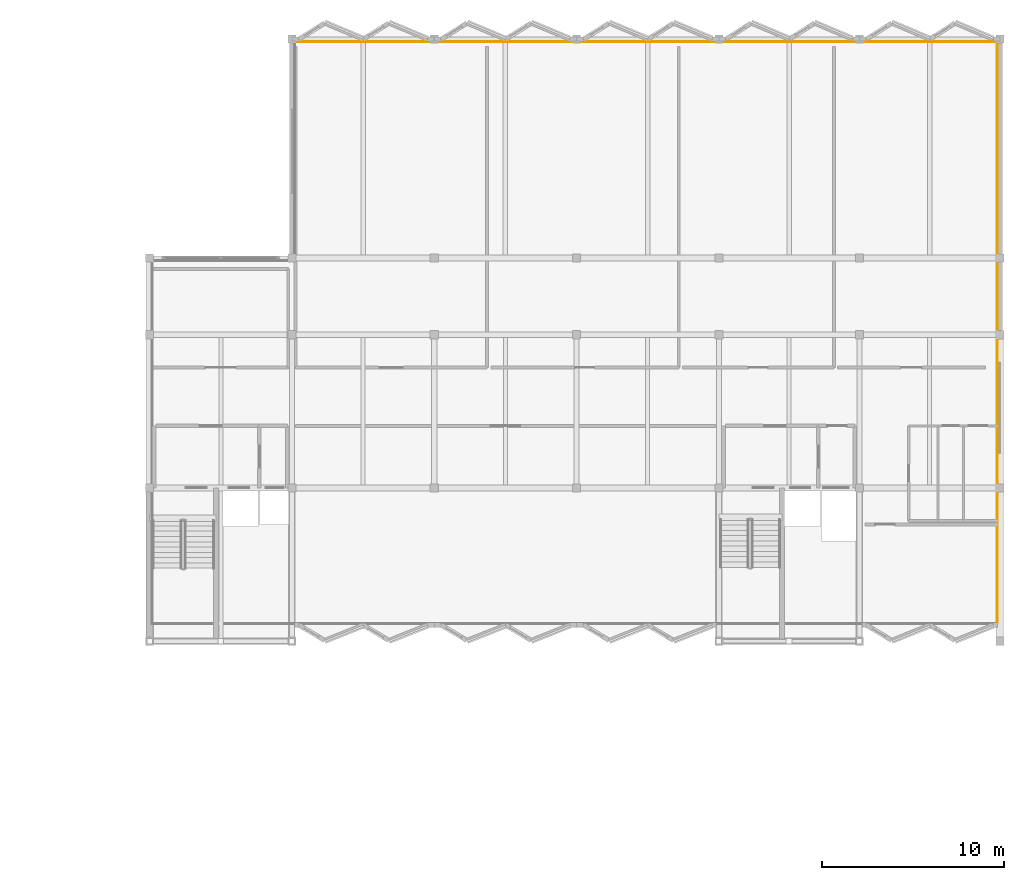
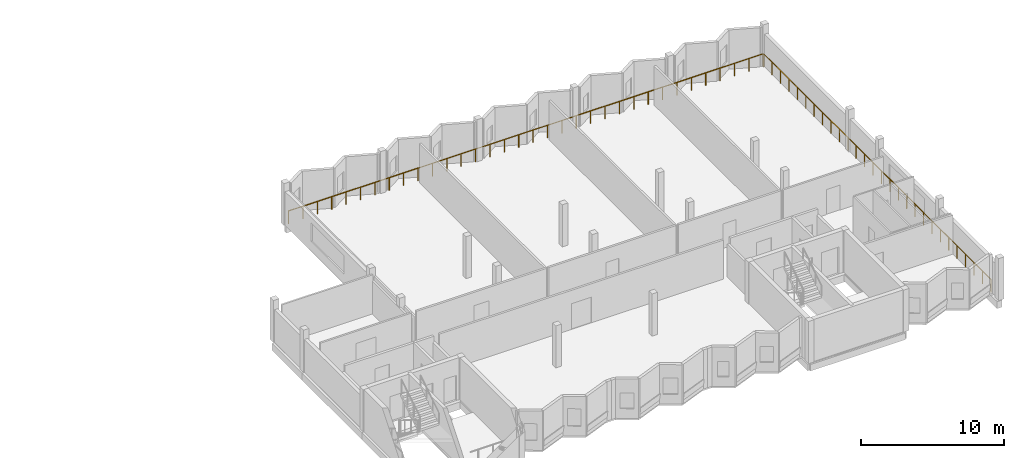
# One storey, part 25 of 25: 2 railings.
"""IFC4 building model written with IfcOpenShell, lengths in metres."""

from ifc_helpers import new_model, si_unit, direction, frame, origin, origin_2d, place, context, subcontext, project, spatial, circle, extrude, material, type_object, element, save


model = new_model("IFC4")

# Units and contexts
model_context = context("Model", 3, precision=1e-05, world=origin(), true_north=direction((0.0, 1.0)))
body_context = subcontext(model_context, "Body", "Model", "MODEL_VIEW")
ifc_project = project(units=[si_unit("LENGTHUNIT", "METRE"), si_unit("AREAUNIT", "SQUARE_METRE"), si_unit("VOLUMEUNIT", "CUBIC_METRE"), si_unit("PLANEANGLEUNIT", "RADIAN"), si_unit("MASSUNIT", "GRAM", prefix="KILO")], contexts=[model_context])

# Site, building, storey
site_placement = place(None, origin())
site = spatial("IfcSite", under=ifc_project, at=site_placement, CompositionType="ELEMENT")
building_placement = place(site_placement, origin())
building = spatial("IfcBuilding", under=site, at=building_placement, Name="Vharandega Faculty of Natural Sciences", CompositionType="ELEMENT")
storey_placement = place(building_placement, frame((0.0, 0.0, 25.199951171875)))
storey = spatial("IfcBuildingStorey", under=building, at=storey_placement, Name="L06", CompositionType="ELEMENT", Elevation=25.199951171875)

# Railings
ifc_material = material(Name="Galvanised painted steel balustrade", Category="steel")
railing_type = type_object("IfcRailingType", Name="Terrace Steel Guardrail 1100", PredefinedType="GUARDRAIL", material=ifc_material)
railing_1_placement = place(storey_placement, frame((161.25, 64.97509765625, 0.0)))
element("IfcRailing", 1, at=railing_1_placement, inside=storey, type_object=railing_type, Name="Perimeter Sill Guard L06 #2", PredefinedType="GUARDRAIL", context=body_context, shape_type="SweptSolid", body=[
    extrude(circle(Radius=0.02392578125, at=origin_2d()), frame((0.0, 0.0, 1.076171875), z_axis=(0.0, 1.0, 0.0), x_axis=(-1.0, 0.0, 0.0)), (0.0, 0.0, 1.0), 31.849853515625),
    extrude(circle(Radius=0.02099609375, at=origin_2d()), origin(), (0.0, 0.0, 1.0), 1.052001953125),
    extrude(circle(Radius=0.02099609375, at=origin_2d()), frame((0.0, 1.1796875, 0.0)), (0.0, 0.0, 1.0), 1.052001953125),
    extrude(circle(Radius=0.02099609375, at=origin_2d()), frame((0.0, 2.359130859375, 0.0)), (0.0, 0.0, 1.0), 1.052001953125),
    extrude(circle(Radius=0.02099609375, at=origin_2d()), frame((0.0, 3.538818359375, 0.0)), (0.0, 0.0, 1.0), 1.052001953125),
    extrude(circle(Radius=0.02099609375, at=origin_2d()), frame((0.0, 4.718505859375, 0.0)), (0.0, 0.0, 1.0), 1.052001953125),
    extrude(circle(Radius=0.02099609375, at=origin_2d()), frame((0.0, 5.898193359375, 0.0)), (0.0, 0.0, 1.0), 1.052001953125),
    extrude(circle(Radius=0.02099609375, at=origin_2d()), frame((0.0, 7.07763671875, 0.0)), (0.0, 0.0, 1.0), 1.052001953125),
    extrude(circle(Radius=0.02099609375, at=origin_2d()), frame((0.0, 8.25732421875, 0.0)), (0.0, 0.0, 1.0), 1.052001953125),
    extrude(circle(Radius=0.02099609375, at=origin_2d()), frame((0.0, 9.43701171875, 0.0)), (0.0, 0.0, 1.0), 1.052001953125),
    extrude(circle(Radius=0.02099609375, at=origin_2d()), frame((0.0, 10.61669921875, 0.0)), (0.0, 0.0, 1.0), 1.052001953125),
    extrude(circle(Radius=0.02099609375, at=origin_2d()), frame((0.0, 11.796142578125, 0.0)), (0.0, 0.0, 1.0), 1.052001953125),
    extrude(circle(Radius=0.02099609375, at=origin_2d()), frame((0.0, 12.975830078125, 0.0)), (0.0, 0.0, 1.0), 1.052001953125),
    extrude(circle(Radius=0.02099609375, at=origin_2d()), frame((0.0, 14.155517578125, 0.0)), (0.0, 0.0, 1.0), 1.052001953125),
    extrude(circle(Radius=0.02099609375, at=origin_2d()), frame((0.0, 15.335205078125, 0.0)), (0.0, 0.0, 1.0), 1.052001953125),
    extrude(circle(Radius=0.02099609375, at=origin_2d()), frame((0.0, 16.5146484375, 0.0)), (0.0, 0.0, 1.0), 1.052001953125),
    extrude(circle(Radius=0.02099609375, at=origin_2d()), frame((0.0, 17.6943359375, 0.0)), (0.0, 0.0, 1.0), 1.052001953125),
    extrude(circle(Radius=0.02099609375, at=origin_2d()), frame((0.0, 18.8740234375, 0.0)), (0.0, 0.0, 1.0), 1.052001953125),
    extrude(circle(Radius=0.02099609375, at=origin_2d()), frame((0.0, 20.0537109375, 0.0)), (0.0, 0.0, 1.0), 1.052001953125),
    extrude(circle(Radius=0.02099609375, at=origin_2d()), frame((0.0, 21.233154296875, 0.0)), (0.0, 0.0, 1.0), 1.052001953125),
    extrude(circle(Radius=0.02099609375, at=origin_2d()), frame((0.0, 22.412841796875, 0.0)), (0.0, 0.0, 1.0), 1.052001953125),
    extrude(circle(Radius=0.02099609375, at=origin_2d()), frame((0.0, 23.592529296875, 0.0)), (0.0, 0.0, 1.0), 1.052001953125),
    extrude(circle(Radius=0.02099609375, at=origin_2d()), frame((0.0, 24.772216796875, 0.0)), (0.0, 0.0, 1.0), 1.052001953125),
    extrude(circle(Radius=0.02099609375, at=origin_2d()), frame((0.0, 25.95166015625, 0.0)), (0.0, 0.0, 1.0), 1.052001953125),
    extrude(circle(Radius=0.02099609375, at=origin_2d()), frame((0.0, 27.13134765625, 0.0)), (0.0, 0.0, 1.0), 1.052001953125),
    extrude(circle(Radius=0.02099609375, at=origin_2d()), frame((0.0, 28.31103515625, 0.0)), (0.0, 0.0, 1.0), 1.052001953125),
    extrude(circle(Radius=0.02099609375, at=origin_2d()), frame((0.0, 29.49072265625, 0.0)), (0.0, 0.0, 1.0), 1.052001953125),
    extrude(circle(Radius=0.02099609375, at=origin_2d()), frame((0.0, 30.670166015625, 0.0)), (0.0, 0.0, 1.0), 1.052001953125),
    extrude(circle(Radius=0.02099609375, at=origin_2d()), frame((0.0, 31.849853515625, 0.0)), (0.0, 0.0, 1.0), 1.052001953125),
])
railing_2_placement = place(storey_placement, frame((161.22509765625, 96.85009765625, 0.0)))
element("IfcRailing", 2, at=railing_2_placement, inside=storey, type_object=railing_type, Name="Perimeter Sill Guard L06 #3", PredefinedType="GUARDRAIL", context=body_context, shape_type="SweptSolid", body=[
    extrude(circle(Radius=0.02392578125, at=origin_2d()), frame((0.0, 0.0, 1.076171875), z_axis=(-1.0, 0.0, 0.0), x_axis=(0.0, -1.0, 0.0)), (0.0, 0.0, 1.0), 38.4501953125),
    extrude(circle(Radius=0.02099609375, at=origin_2d()), origin(), (0.0, 0.0, 1.0), 1.052001953125),
    extrude(circle(Radius=0.02099609375, at=origin_2d()), frame((-1.1650390625, 0.0, 0.0)), (0.0, 0.0, 1.0), 1.052001953125),
    extrude(circle(Radius=0.02099609375, at=origin_2d()), frame((-2.330322265625, 0.0, 0.0)), (0.0, 0.0, 1.0), 1.052001953125),
    extrude(circle(Radius=0.02099609375, at=origin_2d()), frame((-3.495361328125, 0.0, 0.0)), (0.0, 0.0, 1.0), 1.052001953125),
    extrude(circle(Radius=0.02099609375, at=origin_2d()), frame((-4.66064453125, 0.0, 0.0)), (0.0, 0.0, 1.0), 1.052001953125),
    extrude(circle(Radius=0.02099609375, at=origin_2d()), frame((-5.82568359375, 0.0, 0.0)), (0.0, 0.0, 1.0), 1.052001953125),
    extrude(circle(Radius=0.02099609375, at=origin_2d()), frame((-6.990966796875, 0.0, 0.0)), (0.0, 0.0, 1.0), 1.052001953125),
    extrude(circle(Radius=0.02099609375, at=origin_2d()), frame((-8.156005859375, 0.0, 0.0)), (0.0, 0.0, 1.0), 1.052001953125),
    extrude(circle(Radius=0.02099609375, at=origin_2d()), frame((-9.3212890625, 0.0, 0.0)), (0.0, 0.0, 1.0), 1.052001953125),
    extrude(circle(Radius=0.02099609375, at=origin_2d()), frame((-10.486328125, 0.0, 0.0)), (0.0, 0.0, 1.0), 1.052001953125),
    extrude(circle(Radius=0.02099609375, at=origin_2d()), frame((-11.651611328125, 0.0, 0.0)), (0.0, 0.0, 1.0), 1.052001953125),
    extrude(circle(Radius=0.02099609375, at=origin_2d()), frame((-12.816650390625, 0.0, 0.0)), (0.0, 0.0, 1.0), 1.052001953125),
    extrude(circle(Radius=0.02099609375, at=origin_2d()), frame((-13.98193359375, 0.0, 0.0)), (0.0, 0.0, 1.0), 1.052001953125),
    extrude(circle(Radius=0.02099609375, at=origin_2d()), frame((-15.14697265625, 0.0, 0.0)), (0.0, 0.0, 1.0), 1.052001953125),
    extrude(circle(Radius=0.02099609375, at=origin_2d()), frame((-16.312255859375, 0.0, 0.0)), (0.0, 0.0, 1.0), 1.052001953125),
    extrude(circle(Radius=0.02099609375, at=origin_2d()), frame((-17.477294921875, 0.0, 0.0)), (0.0, 0.0, 1.0), 1.052001953125),
    extrude(circle(Radius=0.02099609375, at=origin_2d()), frame((-18.642578125, 0.0, 0.0)), (0.0, 0.0, 1.0), 1.052001953125),
    extrude(circle(Radius=0.02099609375, at=origin_2d()), frame((-19.8076171875, 0.0, 0.0)), (0.0, 0.0, 1.0), 1.052001953125),
    extrude(circle(Radius=0.02099609375, at=origin_2d()), frame((-20.972900390625, 0.0, 0.0)), (0.0, 0.0, 1.0), 1.052001953125),
    extrude(circle(Radius=0.02099609375, at=origin_2d()), frame((-22.137939453125, 0.0, 0.0)), (0.0, 0.0, 1.0), 1.052001953125),
    extrude(circle(Radius=0.02099609375, at=origin_2d()), frame((-23.30322265625, 0.0, 0.0)), (0.0, 0.0, 1.0), 1.052001953125),
    extrude(circle(Radius=0.02099609375, at=origin_2d()), frame((-24.46826171875, 0.0, 0.0)), (0.0, 0.0, 1.0), 1.052001953125),
    extrude(circle(Radius=0.02099609375, at=origin_2d()), frame((-25.633544921875, 0.0, 0.0)), (0.0, 0.0, 1.0), 1.052001953125),
    extrude(circle(Radius=0.02099609375, at=origin_2d()), frame((-26.798583984375, 0.0, 0.0)), (0.0, 0.0, 1.0), 1.052001953125),
    extrude(circle(Radius=0.02099609375, at=origin_2d()), frame((-27.9638671875, 0.0, 0.0)), (0.0, 0.0, 1.0), 1.052001953125),
    extrude(circle(Radius=0.02099609375, at=origin_2d()), frame((-29.12890625, 0.0, 0.0)), (0.0, 0.0, 1.0), 1.052001953125),
    extrude(circle(Radius=0.02099609375, at=origin_2d()), frame((-30.294189453125, 0.0, 0.0)), (0.0, 0.0, 1.0), 1.052001953125),
    extrude(circle(Radius=0.02099609375, at=origin_2d()), frame((-31.459228515625, 0.0, 0.0)), (0.0, 0.0, 1.0), 1.052001953125),
    extrude(circle(Radius=0.02099609375, at=origin_2d()), frame((-32.62451171875, 0.0, 0.0)), (0.0, 0.0, 1.0), 1.052001953125),
    extrude(circle(Radius=0.02099609375, at=origin_2d()), frame((-33.78955078125, 0.0, 0.0)), (0.0, 0.0, 1.0), 1.052001953125),
    extrude(circle(Radius=0.02099609375, at=origin_2d()), frame((-34.954833984375, 0.0, 0.0)), (0.0, 0.0, 1.0), 1.052001953125),
    extrude(circle(Radius=0.02099609375, at=origin_2d()), frame((-36.119873046875, 0.0, 0.0)), (0.0, 0.0, 1.0), 1.052001953125),
    extrude(circle(Radius=0.02099609375, at=origin_2d()), frame((-37.28515625, 0.0, 0.0)), (0.0, 0.0, 1.0), 1.052001953125),
    extrude(circle(Radius=0.02099609375, at=origin_2d()), frame((-38.4501953125, 0.0, 0.0)), (0.0, 0.0, 1.0), 1.052001953125),
])

save(model, "model.ifc")
